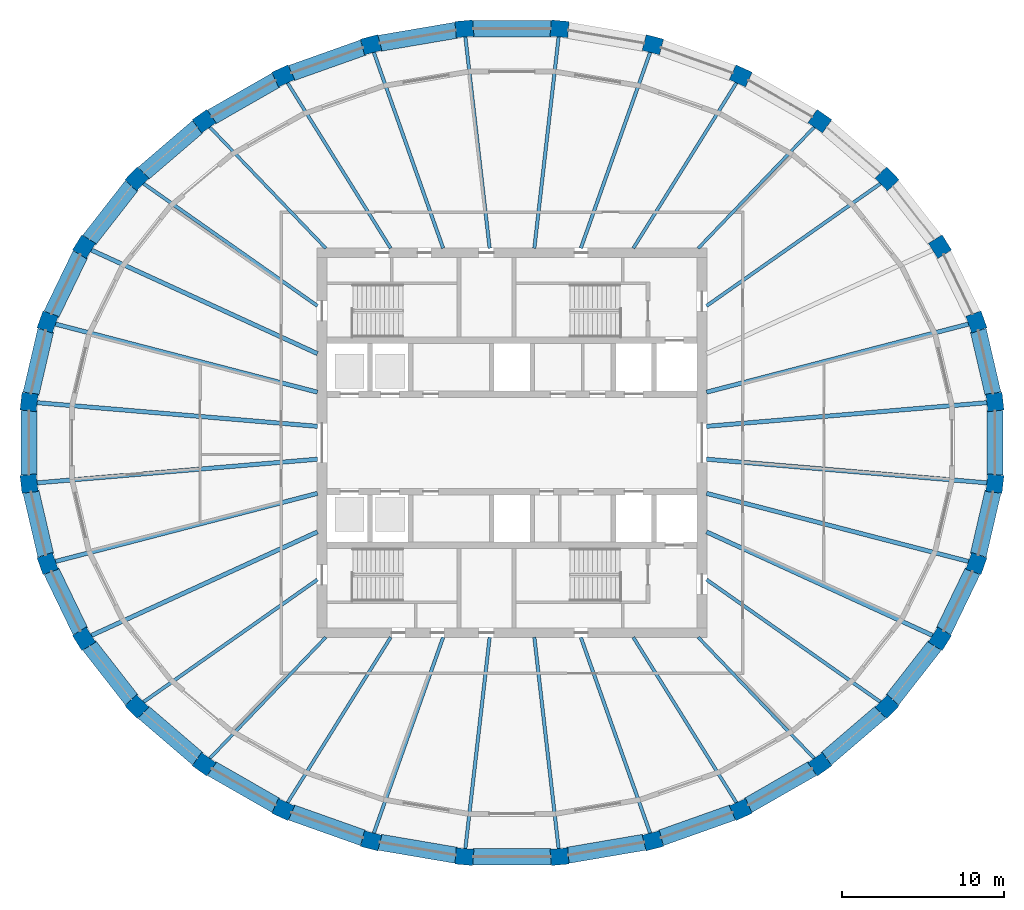
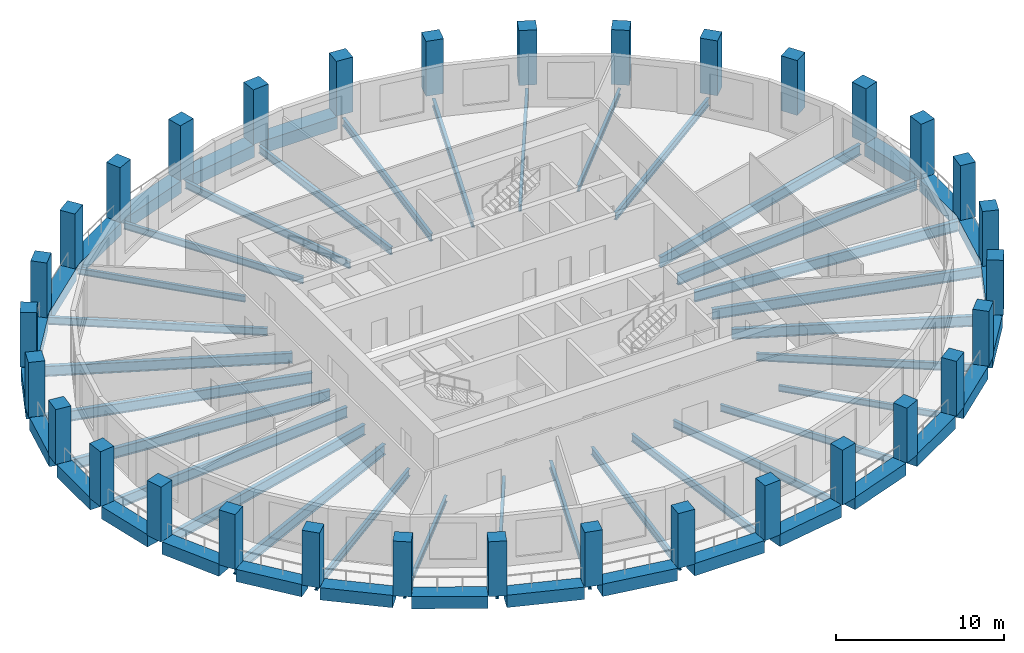
# One storey, part 1 of 10: 57 beams, 32 columns.
"""IFC4 building model written with IfcOpenShell, lengths in metres."""

from ifc_helpers import new_model, si_unit, direction, frame, origin, origin_2d, place, context, subcontext, project, spatial, rectangle, i_section, extrude, material, material_profile, profile_set, type_object, element, save


model = new_model("IFC4")

# Units and contexts
model_context = context("Model", 3, precision=1e-05, world=origin(), true_north=direction((0.0, 1.0)))
body_context = subcontext(model_context, "Body", "Model", "MODEL_VIEW")
ifc_project = project(units=[si_unit("LENGTHUNIT", "METRE"), si_unit("AREAUNIT", "SQUARE_METRE"), si_unit("VOLUMEUNIT", "CUBIC_METRE"), si_unit("PLANEANGLEUNIT", "RADIAN"), si_unit("MASSUNIT", "GRAM", prefix="KILO")], contexts=[model_context])

# Site, building, storey
site_placement = place(None, origin())
site = spatial("IfcSite", under=ifc_project, at=site_placement, CompositionType="ELEMENT")
building_placement = place(site_placement, origin())
building = spatial("IfcBuilding", under=site, at=building_placement, Name="Halqa Exchange Tower", CompositionType="ELEMENT")
storey_placement = place(building_placement, frame((0.0, 0.0, 272.300048828125)))
storey = spatial("IfcBuildingStorey", under=building, at=storey_placement, Name="L63", CompositionType="ELEMENT", Elevation=272.300048828125)

# Columns
ifc_material_1 = material(Name="Concrete C60/75", Category="concrete")
ifc_material_profile_1 = material_profile(ifc_material_1, rectangle(XDim=1.10009765625, YDim=1.0, at=origin_2d()), Name="1100 x 1000")
ifc_profile_set_1 = profile_set([ifc_material_profile_1], Name="Concrete C60/75")
column_type = type_object("IfcColumnType", Name="RC ring column 1100 x 1000 C60/75", PredefinedType="COLUMN", material=ifc_profile_set_1)
for number, where, z_axis, x_axis, name in (
    (1, (29.724609375, 2.509521484375, 0.0), (0.0, 0.0, 1.0), (-0.114155188058, 0.993462929877, 0.0), "Ring column 1"),
    (2, (28.582275390625, 7.431640625, 0.0), (0.0, 0.0, 1.0), (-0.33362752424, 0.942704977747, 0.0), "Ring column 2"),
    (3, (26.341552734375, 12.068603515625, 0.0), (0.0, 0.0, 1.0), (-0.529141977228, 0.848533303964, 0.0), "Ring column 3"),
    (4, (23.088623046875, 16.241455078125, 0.0), (0.0, 0.0, 1.0), (-0.69157987326, 0.722299992317, 0.0), "Ring column 4"),
    (5, (18.9482421875, 19.790283203125, 0.0), (0.0, 0.0, 1.0), (-0.817906779671, 0.575350762377, 0.0), "Ring column 5"),
    (6, (14.079833984375, 22.57861328125, 0.0), (0.0, 0.0, 1.0), (-0.909127095833, 0.416518815449, 0.0), "Ring column 6"),
    (7, (8.67041015625, 24.4990234375, 0.0), (0.0, 0.0, 1.0), (-0.967820381973, 0.251642023988, 0.0), "Ring column 7"),
    (8, (2.927490234375, 25.478271484375, 0.0), (0.0, 0.0, 1.0), (-0.996455518985, 0.084121333105, 0.0), "Ring column 8"),
    (9, (-2.927490234375, 25.478271484375, 0.0), (0.0, 0.0, 1.0), (-0.996455518985, -0.084121333105, 0.0), "Ring column 9"),
    (10, (-8.67041015625, 24.4990234375, 0.0), (0.0, 0.0, 1.0), (-0.967820381973, -0.251642023988, 0.0), "Ring column 10"),
    (11, (-14.079833984375, 22.57861328125, 0.0), (0.0, 0.0, 1.0), (-0.909127095833, -0.416518815449, 0.0), "Ring column 11"),
    (12, (-18.9482421875, 19.790283203125, 0.0), (0.0, 0.0, 1.0), (-0.817906779671, -0.575350762377, 0.0), "Ring column 12"),
    (13, (-23.088623046875, 16.241455078125, 0.0), (0.0, 0.0, 1.0), (-0.69157987326, -0.722299992317, 0.0), "Ring column 13"),
    (14, (-26.341552734375, 12.068603515625, 0.0), (0.0, 0.0, 1.0), (-0.529141977228, -0.848533303964, 0.0), "Ring column 14"),
    (15, (-28.582275390625, 7.431640625, 0.0), (0.0, 0.0, 1.0), (-0.33362752424, -0.942704977747, 0.0), "Ring column 15"),
    (16, (-29.724609375, 2.509521484375, 0.0), (0.0, 0.0, 1.0), (-0.114155188058, -0.993462929877, 0.0), "Ring column 16"),
    (17, (-29.724609375, -2.509521484375, 0.0), (0.0, 0.0, 1.0), (0.114155188058, -0.993462929877, 0.0), "Ring column 17"),
    (18, (-28.582275390625, -7.431640625, 0.0), (0.0, 0.0, 1.0), (0.33362752424, -0.942704977747, 0.0), "Ring column 18"),
    (19, (-26.341552734375, -12.068603515625, 0.0), (0.0, 0.0, 1.0), (0.529141977228, -0.848533303964, 0.0), "Ring column 19"),
    (20, (-23.088623046875, -16.241455078125, 0.0), (0.0, 0.0, 1.0), (0.69157987326, -0.722299992317, 0.0), "Ring column 20"),
    (21, (-18.9482421875, -19.790283203125, 0.0), (0.0, 0.0, 1.0), (0.817906779671, -0.575350762377, 0.0), "Ring column 21"),
    (22, (-14.079833984375, -22.57861328125, 0.0), (0.0, 0.0, 1.0), (0.909127095833, -0.416518815449, 0.0), "Ring column 22"),
    (23, (-8.67041015625, -24.4990234375, 0.0), (0.0, 0.0, 1.0), (0.967820381973, -0.251642023988, 0.0), "Ring column 23"),
    (24, (-2.927490234375, -25.478271484375, 0.0), (0.0, 0.0, 1.0), (0.996455518985, -0.084121333105, 0.0), "Ring column 24"),
    (25, (2.927490234375, -25.478271484375, 0.0), (0.0, 0.0, 1.0), (0.996455518985, 0.084121333105, 0.0), "Ring column 25"),
    (26, (8.67041015625, -24.4990234375, 0.0), (0.0, 0.0, 1.0), (0.967820381973, 0.251642023988, 0.0), "Ring column 26"),
    (27, (14.079833984375, -22.57861328125, 0.0), (0.0, 0.0, 1.0), (0.909127095833, 0.416518815449, 0.0), "Ring column 27"),
    (28, (18.9482421875, -19.790283203125, 0.0), (0.0, 0.0, 1.0), (0.817906779671, 0.575350762377, 0.0), "Ring column 28"),
    (29, (23.088623046875, -16.241455078125, 0.0), (0.0, 0.0, 1.0), (0.69157987326, 0.722299992317, 0.0), "Ring column 29"),
    (30, (26.341552734375, -12.068603515625, 0.0), (0.0, 0.0, 1.0), (0.529141977228, 0.848533303964, 0.0), "Ring column 30"),
    (31, (28.582275390625, -7.431640625, 0.0), (0.0, 0.0, 1.0), (0.33362752424, 0.942704977747, 0.0), "Ring column 31"),
    (32, (29.724609375, -2.509521484375, 0.0), (0.0, 0.0, 1.0), (0.114155188058, 0.993462929877, 0.0), "Ring column 32"),
):
    element("IfcColumn", number, at=place(storey_placement, frame(where, z_axis=z_axis, x_axis=x_axis)), inside=storey, type_object=column_type, Name=name, PredefinedType="COLUMN", context=body_context, shape_type="SweptSolid", body=[
        extrude(rectangle(XDim=1.10009765625, YDim=1.0, at=origin_2d()), origin(), (0.0, 0.0, 1.0), 4.0),
    ])

# Beams
ifc_material_2 = material(Name="Steel S355", Category="steel")
ifc_material_profile_2 = material_profile(ifc_material_2, i_section(OverallWidth=0.18994140625, OverallDepth=0.449951171875, WebThickness=0.009521484375, FlangeThickness=0.0146484375, FilletRadius=0.02099609375, at=origin_2d()), Name="IPE 450")
ifc_profile_set_2 = profile_set([ifc_material_profile_2], Name="Steel S355")
beam_type_1 = type_object("IfcBeamType", Name="Floor beam IPE 450", PredefinedType="BEAM", material=ifc_profile_set_2)
for number, where, z_axis, x_axis, name in (
    (33, (11.462890625, 11.97216796875, -0.525146484375), (0.6915753901, 0.722304284778, 0.0), (-0.722304284778, 0.6915753901, 0.0), "Radial beam 5"),
    (34, (-11.462890625, 11.97216796875, -0.525146484375), (-0.6915753901, 0.722304284778, 0.0), (-0.722304284778, -0.6915753901, 0.0), "Radial beam 12"),
    (35, (-11.462890625, -11.97216796875, -0.525146484375), (-0.6915753901, -0.722304284778, 0.0), (0.722304284778, -0.6915753901, 0.0), "Radial beam 21"),
    (36, (11.462890625, -11.97216796875, -0.525146484375), (0.6915753901, -0.722304284778, 0.0), (0.722304284778, 0.6915753901, 0.0), "Radial beam 28"),
):
    element("IfcBeam", number, at=place(storey_placement, frame(where, z_axis=z_axis, x_axis=x_axis)), inside=storey, type_object=beam_type_1, Name=name, PredefinedType="BEAM", context=body_context, shape_type="SweptSolid", body=[
        extrude(i_section(OverallWidth=0.18994140625, OverallDepth=0.449951171875, WebThickness=0.009521484375, FlangeThickness=0.0146484375, FilletRadius=0.02099609375, at=origin_2d()), origin(), (0.0, 0.0, 1.0), 10.44775390625),
    ])
ifc_material_profile_3 = material_profile(ifc_material_2, i_section(OverallWidth=0.199951171875, OverallDepth=0.5, WebThickness=0.01025390625, FlangeThickness=0.01611328125, FilletRadius=0.02099609375, at=origin_2d()), Name="IPE 500")
ifc_profile_set_3 = profile_set([ifc_material_profile_3], Name="Steel S355")
beam_type_2 = type_object("IfcBeamType", Name="Floor beam IPE 500", PredefinedType="BEAM", material=ifc_profile_set_3)
for number, where, z_axis, x_axis, name in (
    (37, (7.4658203125, 11.97216796875, -0.550048828125), (0.529135237944, 0.848537506517, 0.0), (-0.848537506517, 0.529135237944, 0.0), "Radial beam 6"),
    (38, (-7.4658203125, 11.97216796875, -0.550048828125), (-0.529135237944, 0.848537506517, 0.0), (-0.848537506517, -0.529135237944, 0.0), "Radial beam 11"),
    (39, (-7.4658203125, -11.97216796875, -0.550048828125), (-0.529135237944, -0.848537506517, 0.0), (0.848537506517, -0.529135237944, 0.0), "Radial beam 22"),
    (40, (7.4658203125, -11.97216796875, -0.550048828125), (0.529135237944, -0.848537506517, 0.0), (0.848537506517, 0.529135237944, 0.0), "Radial beam 27"),
):
    element("IfcBeam", number, at=place(storey_placement, frame(where, z_axis=z_axis, x_axis=x_axis)), inside=storey, type_object=beam_type_2, Name=name, PredefinedType="BEAM", context=body_context, shape_type="SweptSolid", body=[
        extrude(i_section(OverallWidth=0.199951171875, OverallDepth=0.5, WebThickness=0.01025390625, FlangeThickness=0.01611328125, FilletRadius=0.02099609375, at=origin_2d()), origin(), (0.0, 0.0, 1.0), 12.12353515625),
    ])
ifc_material_profile_4 = material_profile(ifc_material_2, i_section(OverallWidth=0.2099609375, OverallDepth=0.550048828125, WebThickness=0.010986328125, FlangeThickness=0.01708984375, FilletRadius=0.02392578125, at=origin_2d()), Name="IPE 550")
ifc_profile_set_4 = profile_set([ifc_material_profile_4], Name="Steel S355")
beam_type_3 = type_object("IfcBeamType", Name="Floor beam IPE 550", PredefinedType="BEAM", material=ifc_profile_set_4)
beam_1_placement = place(storey_placement, frame((11.97265625, 8.422119140625, -0.574951171875), z_axis=(0.81790784974, 0.575349241187, 0.0), x_axis=(-0.575349241187, 0.81790784974, 0.0)))
element("IfcBeam", 41, at=beam_1_placement, inside=storey, type_object=beam_type_3, Name="Radial beam 4", PredefinedType="BEAM", context=body_context, shape_type="SweptSolid", body=[
    extrude(i_section(OverallWidth=0.2099609375, OverallDepth=0.550048828125, WebThickness=0.010986328125, FlangeThickness=0.01708984375, FilletRadius=0.02392578125, at=origin_2d()), origin(), (0.0, 0.0, 1.0), 13.214599609375),
])
beam_2_placement = place(storey_placement, frame((4.23681640625, 11.971923828125, -0.574951171875), z_axis=(0.333624916915, 0.942705900487, 0.0), x_axis=(-0.942705900487, 0.333624916915, 0.0)))
element("IfcBeam", 42, at=beam_2_placement, inside=storey, type_object=beam_type_3, Name="Radial beam 7", PredefinedType="BEAM", context=body_context, shape_type="SweptSolid", body=[
    extrude(i_section(OverallWidth=0.2099609375, OverallDepth=0.550048828125, WebThickness=0.010986328125, FlangeThickness=0.01708984375, FilletRadius=0.02392578125, at=origin_2d()), origin(), (0.0, 0.0, 1.0), 12.91455078125),
])
for number, where, z_axis, x_axis, name in (
    (43, (1.37548828125, 11.9716796875, -0.574951171875), (0.114155275755, 0.9934629198, 0.0), (-0.9934629198, 0.114155275755, 0.0), "Radial beam 8"),
    (44, (-1.37548828125, 11.9716796875, -0.574951171875), (-0.114155275755, 0.9934629198, 0.0), (-0.9934629198, -0.114155275755, 0.0), "Radial beam 9"),
):
    element("IfcBeam", number, at=place(storey_placement, frame(where, z_axis=z_axis, x_axis=x_axis)), inside=storey, type_object=beam_type_3, Name=name, PredefinedType="BEAM", context=body_context, shape_type="SweptSolid", body=[
        extrude(i_section(OverallWidth=0.2099609375, OverallDepth=0.550048828125, WebThickness=0.010986328125, FlangeThickness=0.01708984375, FilletRadius=0.02392578125, at=origin_2d()), origin(), (0.0, 0.0, 1.0), 13.223388671875),
    ])
beam_3_placement = place(storey_placement, frame((-4.23681640625, 11.971923828125, -0.574951171875), z_axis=(-0.333624916915, 0.942705900487, 0.0), x_axis=(-0.942705900487, -0.333624916915, 0.0)))
element("IfcBeam", 45, at=beam_3_placement, inside=storey, type_object=beam_type_3, Name="Radial beam 10", PredefinedType="BEAM", context=body_context, shape_type="SweptSolid", body=[
    extrude(i_section(OverallWidth=0.2099609375, OverallDepth=0.550048828125, WebThickness=0.010986328125, FlangeThickness=0.01708984375, FilletRadius=0.02392578125, at=origin_2d()), origin(), (0.0, 0.0, 1.0), 12.91455078125),
])
for number, where, z_axis, x_axis, name in (
    (46, (-11.97265625, 8.422119140625, -0.574951171875), (-0.81790784974, 0.575349241187, 0.0), (-0.575349241187, -0.81790784974, 0.0), "Radial beam 13"),
    (47, (-11.97265625, -8.422119140625, -0.574951171875), (-0.81790784974, -0.575349241187, 0.0), (0.575349241187, -0.81790784974, 0.0), "Radial beam 20"),
):
    element("IfcBeam", number, at=place(storey_placement, frame(where, z_axis=z_axis, x_axis=x_axis)), inside=storey, type_object=beam_type_3, Name=name, PredefinedType="BEAM", context=body_context, shape_type="SweptSolid", body=[
        extrude(i_section(OverallWidth=0.2099609375, OverallDepth=0.550048828125, WebThickness=0.010986328125, FlangeThickness=0.01708984375, FilletRadius=0.02392578125, at=origin_2d()), origin(), (0.0, 0.0, 1.0), 13.214599609375),
    ])
beam_4_placement = place(storey_placement, frame((-4.23681640625, -11.971923828125, -0.574951171875), z_axis=(-0.333624916915, -0.942705900487, 0.0), x_axis=(0.942705900487, -0.333624916915, 0.0)))
element("IfcBeam", 48, at=beam_4_placement, inside=storey, type_object=beam_type_3, Name="Radial beam 23", PredefinedType="BEAM", context=body_context, shape_type="SweptSolid", body=[
    extrude(i_section(OverallWidth=0.2099609375, OverallDepth=0.550048828125, WebThickness=0.010986328125, FlangeThickness=0.01708984375, FilletRadius=0.02392578125, at=origin_2d()), origin(), (0.0, 0.0, 1.0), 12.91455078125),
])
for number, where, z_axis, x_axis, name in (
    (49, (-1.37548828125, -11.9716796875, -0.574951171875), (-0.114155275755, -0.9934629198, 0.0), (0.9934629198, -0.114155275755, 0.0), "Radial beam 24"),
    (50, (1.37548828125, -11.9716796875, -0.574951171875), (0.114155275755, -0.9934629198, 0.0), (0.9934629198, 0.114155275755, 0.0), "Radial beam 25"),
):
    element("IfcBeam", number, at=place(storey_placement, frame(where, z_axis=z_axis, x_axis=x_axis)), inside=storey, type_object=beam_type_3, Name=name, PredefinedType="BEAM", context=body_context, shape_type="SweptSolid", body=[
        extrude(i_section(OverallWidth=0.2099609375, OverallDepth=0.550048828125, WebThickness=0.010986328125, FlangeThickness=0.01708984375, FilletRadius=0.02392578125, at=origin_2d()), origin(), (0.0, 0.0, 1.0), 13.223388671875),
    ])
beam_5_placement = place(storey_placement, frame((4.23681640625, -11.971923828125, -0.574951171875), z_axis=(0.333624916915, -0.942705900487, 0.0), x_axis=(0.942705900487, 0.333624916915, 0.0)))
element("IfcBeam", 51, at=beam_5_placement, inside=storey, type_object=beam_type_3, Name="Radial beam 26", PredefinedType="BEAM", context=body_context, shape_type="SweptSolid", body=[
    extrude(i_section(OverallWidth=0.2099609375, OverallDepth=0.550048828125, WebThickness=0.010986328125, FlangeThickness=0.01708984375, FilletRadius=0.02392578125, at=origin_2d()), origin(), (0.0, 0.0, 1.0), 12.91455078125),
])
beam_6_placement = place(storey_placement, frame((11.97265625, -8.422119140625, -0.574951171875), z_axis=(0.81790784974, -0.575349241187, 0.0), x_axis=(0.575349241187, 0.81790784974, 0.0)))
element("IfcBeam", 52, at=beam_6_placement, inside=storey, type_object=beam_type_3, Name="Radial beam 29", PredefinedType="BEAM", context=body_context, shape_type="SweptSolid", body=[
    extrude(i_section(OverallWidth=0.2099609375, OverallDepth=0.550048828125, WebThickness=0.010986328125, FlangeThickness=0.01708984375, FilletRadius=0.02392578125, at=origin_2d()), origin(), (0.0, 0.0, 1.0), 13.214599609375),
])
ifc_material_profile_5 = material_profile(ifc_material_2, i_section(OverallWidth=0.264892578125, OverallDepth=0.7529296875, WebThickness=0.01318359375, FlangeThickness=0.01708984375, FilletRadius=0.01708984375, at=origin_2d()), Name="IPE 750x147")
ifc_profile_set_5 = profile_set([ifc_material_profile_5], Name="Steel S355")
beam_type_4 = type_object("IfcBeamType", Name="Floor beam IPE 750x147", PredefinedType="BEAM", material=ifc_profile_set_5)
beam_7_placement = place(storey_placement, frame((11.972900390625, 1.0107421875, -0.676513671875), z_axis=(0.996455698419, 0.084119207612, 0.0), x_axis=(-0.084119207612, 0.996455698419, 0.0)))
element("IfcBeam", 53, at=beam_7_placement, inside=storey, type_object=beam_type_4, Name="Radial beam 1", PredefinedType="BEAM", context=body_context, shape_type="SweptSolid", body=[
    extrude(i_section(OverallWidth=0.264892578125, OverallDepth=0.7529296875, WebThickness=0.01318359375, FlangeThickness=0.01708984375, FilletRadius=0.01708984375, at=origin_2d()), origin(), (0.0, 0.0, 1.0), 17.44287109375),
])
beam_8_placement = place(storey_placement, frame((11.97265625, 3.113037109375, -0.676513671875), z_axis=(0.967818965, 0.251647473634, 0.0), x_axis=(-0.251647473634, 0.967818965, 0.0)))
element("IfcBeam", 54, at=beam_8_placement, inside=storey, type_object=beam_type_4, Name="Radial beam 2", PredefinedType="BEAM", context=body_context, shape_type="SweptSolid", body=[
    extrude(i_section(OverallWidth=0.264892578125, OverallDepth=0.7529296875, WebThickness=0.01318359375, FlangeThickness=0.01708984375, FilletRadius=0.01708984375, at=origin_2d()), origin(), (0.0, 0.0, 1.0), 16.787841796875),
])
beam_9_placement = place(storey_placement, frame((-11.972412109375, 5.485107421875, -0.676513671875), z_axis=(-0.909124745555, 0.416523945314, 0.0), x_axis=(-0.416523945314, -0.909124745555, 0.0)))
element("IfcBeam", 55, at=beam_9_placement, inside=storey, type_object=beam_type_4, Name="Radial beam 14", PredefinedType="BEAM", context=body_context, shape_type="SweptSolid", body=[
    extrude(i_section(OverallWidth=0.264892578125, OverallDepth=0.7529296875, WebThickness=0.01318359375, FlangeThickness=0.01708984375, FilletRadius=0.01708984375, at=origin_2d()), origin(), (0.0, 0.0, 1.0), 15.429443359375),
])
beam_10_placement = place(storey_placement, frame((-11.97265625, 3.113037109375, -0.676513671875), z_axis=(-0.967818965, 0.251647473634, 0.0), x_axis=(-0.251647473634, -0.967818965, 0.0)))
element("IfcBeam", 56, at=beam_10_placement, inside=storey, type_object=beam_type_4, Name="Radial beam 15", PredefinedType="BEAM", context=body_context, shape_type="SweptSolid", body=[
    extrude(i_section(OverallWidth=0.264892578125, OverallDepth=0.7529296875, WebThickness=0.01318359375, FlangeThickness=0.01708984375, FilletRadius=0.01708984375, at=origin_2d()), origin(), (0.0, 0.0, 1.0), 16.787841796875),
])
for number, where, z_axis, x_axis, name in (
    (57, (-11.972900390625, 1.0107421875, -0.676513671875), (-0.996455698419, 0.084119207612, 0.0), (-0.084119207612, -0.996455698419, 0.0), "Radial beam 16"),
    (58, (-11.972900390625, -1.0107421875, -0.676513671875), (-0.996455698419, -0.084119207612, 0.0), (0.084119207612, -0.996455698419, 0.0), "Radial beam 17"),
):
    element("IfcBeam", number, at=place(storey_placement, frame(where, z_axis=z_axis, x_axis=x_axis)), inside=storey, type_object=beam_type_4, Name=name, PredefinedType="BEAM", context=body_context, shape_type="SweptSolid", body=[
        extrude(i_section(OverallWidth=0.264892578125, OverallDepth=0.7529296875, WebThickness=0.01318359375, FlangeThickness=0.01708984375, FilletRadius=0.01708984375, at=origin_2d()), origin(), (0.0, 0.0, 1.0), 17.44287109375),
    ])
beam_11_placement = place(storey_placement, frame((-11.97265625, -3.113037109375, -0.676513671875), z_axis=(-0.967818965, -0.251647473634, 0.0), x_axis=(0.251647473634, -0.967818965, 0.0)))
element("IfcBeam", 59, at=beam_11_placement, inside=storey, type_object=beam_type_4, Name="Radial beam 18", PredefinedType="BEAM", context=body_context, shape_type="SweptSolid", body=[
    extrude(i_section(OverallWidth=0.264892578125, OverallDepth=0.7529296875, WebThickness=0.01318359375, FlangeThickness=0.01708984375, FilletRadius=0.01708984375, at=origin_2d()), origin(), (0.0, 0.0, 1.0), 16.787841796875),
])
for number, where, z_axis, x_axis, name in (
    (60, (-11.972412109375, -5.485107421875, -0.676513671875), (-0.909124745555, -0.416523945314, 0.0), (0.416523945314, -0.909124745555, 0.0), "Radial beam 19"),
    (61, (11.972412109375, -5.485107421875, -0.676513671875), (0.909124745555, -0.416523945314, 0.0), (0.416523945314, 0.909124745555, 0.0), "Radial beam 30"),
):
    element("IfcBeam", number, at=place(storey_placement, frame(where, z_axis=z_axis, x_axis=x_axis)), inside=storey, type_object=beam_type_4, Name=name, PredefinedType="BEAM", context=body_context, shape_type="SweptSolid", body=[
        extrude(i_section(OverallWidth=0.264892578125, OverallDepth=0.7529296875, WebThickness=0.01318359375, FlangeThickness=0.01708984375, FilletRadius=0.01708984375, at=origin_2d()), origin(), (0.0, 0.0, 1.0), 15.429443359375),
    ])
beam_12_placement = place(storey_placement, frame((11.97265625, -3.113037109375, -0.676513671875), z_axis=(0.967818965, -0.251647473634, 0.0), x_axis=(0.251647473634, 0.967818965, 0.0)))
element("IfcBeam", 62, at=beam_12_placement, inside=storey, type_object=beam_type_4, Name="Radial beam 31", PredefinedType="BEAM", context=body_context, shape_type="SweptSolid", body=[
    extrude(i_section(OverallWidth=0.264892578125, OverallDepth=0.7529296875, WebThickness=0.01318359375, FlangeThickness=0.01708984375, FilletRadius=0.01708984375, at=origin_2d()), origin(), (0.0, 0.0, 1.0), 16.787841796875),
])
beam_13_placement = place(storey_placement, frame((11.972900390625, -1.0107421875, -0.676513671875), z_axis=(0.996455698419, -0.084119207612, 0.0), x_axis=(0.084119207612, 0.996455698419, 0.0)))
element("IfcBeam", 63, at=beam_13_placement, inside=storey, type_object=beam_type_4, Name="Radial beam 32", PredefinedType="BEAM", context=body_context, shape_type="SweptSolid", body=[
    extrude(i_section(OverallWidth=0.264892578125, OverallDepth=0.7529296875, WebThickness=0.01318359375, FlangeThickness=0.01708984375, FilletRadius=0.01708984375, at=origin_2d()), origin(), (0.0, 0.0, 1.0), 17.44287109375),
])
ifc_material_profile_6 = material_profile(ifc_material_1, rectangle(XDim=1.0, YDim=0.89990234375, at=origin_2d()), Name="1000 x 900")
ifc_profile_set_6 = profile_set([ifc_material_profile_6], Name="Concrete C60/75")
beam_type_5 = type_object("IfcBeamType", Name="RC spandrel beam 1000 x 900 C60/75", PredefinedType="SPANDREL", material=ifc_profile_set_6)
beam_14_placement = place(storey_placement, frame((29.60595703125, 3.0205078125, -0.449951171875), z_axis=(-0.226066657828, 0.974111834554, 0.0), x_axis=(-0.974111834554, -0.226066657828, 0.0)))
element("IfcBeam", 64, at=beam_14_placement, inside=storey, type_object=beam_type_5, Name="Spandrel 1", PredefinedType="SPANDREL", context=body_context, shape_type="SweptSolid", body=[
    extrude(rectangle(XDim=1.0, YDim=0.89990234375, at=origin_2d()), origin(), (0.0, 0.0, 1.0), 4.002197265625),
])
beam_15_placement = place(storey_placement, frame((2.40380859375, 25.478271484375, -0.449951171875), z_axis=(-1.0, 0.0, 0.0), x_axis=(0.0, -1.0, 0.0)))
element("IfcBeam", 65, at=beam_15_placement, inside=storey, type_object=beam_type_5, Name="Spandrel 8", PredefinedType="SPANDREL", context=body_context, shape_type="SweptSolid", body=[
    extrude(rectangle(XDim=1.0, YDim=0.89990234375, at=origin_2d()), origin(), (0.0, 0.0, 1.0), 4.8076171875),
])
beam_16_placement = place(storey_placement, frame((-3.444091796875, 25.39013671875, -0.449951171875), z_axis=(-0.985773827322, -0.168077248215, 0.0), x_axis=(0.168077248215, -0.985773827322, 0.0)))
element("IfcBeam", 66, at=beam_16_placement, inside=storey, type_object=beam_type_5, Name="Spandrel 9", PredefinedType="SPANDREL", context=body_context, shape_type="SweptSolid", body=[
    extrude(rectangle(XDim=1.0, YDim=0.89990234375, at=origin_2d()), origin(), (0.0, 0.0, 1.0), 4.77734375),
])
beam_17_placement = place(storey_placement, frame((-9.164794921875, 24.323486328125, -0.449951171875), z_axis=(-0.942370071958, -0.334572335194, 0.0), x_axis=(0.334572335194, -0.942370071958, 0.0)))
element("IfcBeam", 67, at=beam_17_placement, inside=storey, type_object=beam_type_5, Name="Spandrel 10", PredefinedType="SPANDREL", context=body_context, shape_type="SweptSolid", body=[
    extrude(rectangle(XDim=1.0, YDim=0.89990234375, at=origin_2d()), origin(), (0.0, 0.0, 1.0), 4.692138671875),
])
beam_18_placement = place(storey_placement, frame((-14.53515625, 22.31787109375, -0.449951171875), z_axis=(-0.867728942601, -0.497037706992, 0.0), x_axis=(0.497037706992, -0.867728942601, 0.0)))
element("IfcBeam", 68, at=beam_18_placement, inside=storey, type_object=beam_type_5, Name="Spandrel 11", PredefinedType="SPANDREL", context=body_context, shape_type="SweptSolid", body=[
    extrude(rectangle(XDim=1.0, YDim=0.89990234375, at=origin_2d()), origin(), (0.0, 0.0, 1.0), 4.562255859375),
])
beam_19_placement = place(storey_placement, frame((-19.3466796875, 19.44873046875, -0.449951171875), z_axis=(-0.759264428132, -0.650782243284, 0.0), x_axis=(0.650782243284, -0.759264428132, 0.0)))
element("IfcBeam", 69, at=beam_19_placement, inside=storey, type_object=beam_type_5, Name="Spandrel 12", PredefinedType="SPANDREL", context=body_context, shape_type="SweptSolid", body=[
    extrude(rectangle(XDim=1.0, YDim=0.89990234375, at=origin_2d()), origin(), (0.0, 0.0, 1.0), 4.404296875),
])
beam_20_placement = place(storey_placement, frame((-23.41162109375, 15.826904296875, -0.449951171875), z_axis=(-0.614844941027, -0.788648019394, 0.0), x_axis=(0.788648019394, -0.614844941027, 0.0)))
element("IfcBeam", 70, at=beam_20_placement, inside=storey, type_object=beam_type_5, Name="Spandrel 13", PredefinedType="SPANDREL", context=body_context, shape_type="SweptSolid", body=[
    extrude(rectangle(XDim=1.0, YDim=0.89990234375, at=origin_2d()), origin(), (0.0, 0.0, 1.0), 4.24072265625),
])
beam_21_placement = place(storey_placement, frame((-26.570556640625, 11.594970703125, -0.449951171875), z_axis=(-0.43506886732, -0.90039717941, 0.0), x_axis=(0.90039717941, -0.43506886732, 0.0)))
element("IfcBeam", 71, at=beam_21_placement, inside=storey, type_object=beam_type_5, Name="Spandrel 14", PredefinedType="SPANDREL", context=body_context, shape_type="SweptSolid", body=[
    extrude(rectangle(XDim=1.0, YDim=0.89990234375, at=origin_2d()), origin(), (0.0, 0.0, 1.0), 4.0986328125),
])
beam_22_placement = place(storey_placement, frame((-28.701171875, 6.919189453125, -0.449951171875), z_axis=(-0.226066657828, -0.974111834554, 0.0), x_axis=(0.974111834554, -0.226066657828, 0.0)))
element("IfcBeam", 72, at=beam_22_placement, inside=storey, type_object=beam_type_5, Name="Spandrel 15", PredefinedType="SPANDREL", context=body_context, shape_type="SweptSolid", body=[
    extrude(rectangle(XDim=1.0, YDim=0.89990234375, at=origin_2d()), origin(), (0.0, 0.0, 1.0), 4.002197265625),
])
beam_23_placement = place(storey_placement, frame((-29.724609375, 1.984375, -0.449951171875), z_axis=(0.0, -1.0, 0.0), x_axis=(1.0, 0.0, 0.0)))
element("IfcBeam", 73, at=beam_23_placement, inside=storey, type_object=beam_type_5, Name="Spandrel 16", PredefinedType="SPANDREL", context=body_context, shape_type="SweptSolid", body=[
    extrude(rectangle(XDim=1.0, YDim=0.89990234375, at=origin_2d()), origin(), (0.0, 0.0, 1.0), 3.96875),
])
beam_24_placement = place(storey_placement, frame((-29.60595703125, -3.0205078125, -0.449951171875), z_axis=(0.226066657828, -0.974111834554, 0.0), x_axis=(0.974111834554, 0.226066657828, 0.0)))
element("IfcBeam", 74, at=beam_24_placement, inside=storey, type_object=beam_type_5, Name="Spandrel 17", PredefinedType="SPANDREL", context=body_context, shape_type="SweptSolid", body=[
    extrude(rectangle(XDim=1.0, YDim=0.89990234375, at=origin_2d()), origin(), (0.0, 0.0, 1.0), 4.002197265625),
])
beam_25_placement = place(storey_placement, frame((-28.353759765625, -7.904541015625, -0.449951171875), z_axis=(0.43506886732, -0.90039717941, 0.0), x_axis=(0.90039717941, 0.43506886732, 0.0)))
element("IfcBeam", 75, at=beam_25_placement, inside=storey, type_object=beam_type_5, Name="Spandrel 18", PredefinedType="SPANDREL", context=body_context, shape_type="SweptSolid", body=[
    extrude(rectangle(XDim=1.0, YDim=0.89990234375, at=origin_2d()), origin(), (0.0, 0.0, 1.0), 4.0986328125),
])
beam_26_placement = place(storey_placement, frame((-26.01904296875, -12.482421875, -0.449951171875), z_axis=(0.614844941027, -0.788648019394, 0.0), x_axis=(0.788648019394, 0.614844941027, 0.0)))
element("IfcBeam", 76, at=beam_26_placement, inside=storey, type_object=beam_type_5, Name="Spandrel 19", PredefinedType="SPANDREL", context=body_context, shape_type="SweptSolid", body=[
    extrude(rectangle(XDim=1.0, YDim=0.89990234375, at=origin_2d()), origin(), (0.0, 0.0, 1.0), 4.24072265625),
])
beam_27_placement = place(storey_placement, frame((-22.690673828125, -16.58251953125, -0.449951171875), z_axis=(0.759264428132, -0.650782243284, 0.0), x_axis=(0.650782243284, 0.759264428132, 0.0)))
element("IfcBeam", 77, at=beam_27_placement, inside=storey, type_object=beam_type_5, Name="Spandrel 20", PredefinedType="SPANDREL", context=body_context, shape_type="SweptSolid", body=[
    extrude(rectangle(XDim=1.0, YDim=0.89990234375, at=origin_2d()), origin(), (0.0, 0.0, 1.0), 4.404296875),
])
beam_28_placement = place(storey_placement, frame((-18.493896484375, -20.05029296875, -0.449951171875), z_axis=(0.867728942601, -0.497037706992, 0.0), x_axis=(0.497037706992, 0.867728942601, 0.0)))
element("IfcBeam", 78, at=beam_28_placement, inside=storey, type_object=beam_type_5, Name="Spandrel 21", PredefinedType="SPANDREL", context=body_context, shape_type="SweptSolid", body=[
    extrude(rectangle(XDim=1.0, YDim=0.89990234375, at=origin_2d()), origin(), (0.0, 0.0, 1.0), 4.562255859375),
])
beam_29_placement = place(storey_placement, frame((-13.58642578125, -22.753662109375, -0.449951171875), z_axis=(0.942370071958, -0.334572335194, 0.0), x_axis=(0.334572335194, 0.942370071958, 0.0)))
element("IfcBeam", 79, at=beam_29_placement, inside=storey, type_object=beam_type_5, Name="Spandrel 22", PredefinedType="SPANDREL", context=body_context, shape_type="SweptSolid", body=[
    extrude(rectangle(XDim=1.0, YDim=0.89990234375, at=origin_2d()), origin(), (0.0, 0.0, 1.0), 4.692138671875),
])
beam_30_placement = place(storey_placement, frame((-8.153564453125, -24.587158203125, -0.449951171875), z_axis=(0.985773827322, -0.168077248215, 0.0), x_axis=(0.168077248215, 0.985773827322, 0.0)))
element("IfcBeam", 80, at=beam_30_placement, inside=storey, type_object=beam_type_5, Name="Spandrel 23", PredefinedType="SPANDREL", context=body_context, shape_type="SweptSolid", body=[
    extrude(rectangle(XDim=1.0, YDim=0.89990234375, at=origin_2d()), origin(), (0.0, 0.0, 1.0), 4.77734375),
])
beam_31_placement = place(storey_placement, frame((-2.40380859375, -25.478271484375, -0.449951171875), z_axis=(1.0, 0.0, 0.0), x_axis=(0.0, 1.0, 0.0)))
element("IfcBeam", 81, at=beam_31_placement, inside=storey, type_object=beam_type_5, Name="Spandrel 24", PredefinedType="SPANDREL", context=body_context, shape_type="SweptSolid", body=[
    extrude(rectangle(XDim=1.0, YDim=0.89990234375, at=origin_2d()), origin(), (0.0, 0.0, 1.0), 4.8076171875),
])
beam_32_placement = place(storey_placement, frame((3.444091796875, -25.39013671875, -0.449951171875), z_axis=(0.985773827322, 0.168077248215, 0.0), x_axis=(-0.168077248215, 0.985773827322, 0.0)))
element("IfcBeam", 82, at=beam_32_placement, inside=storey, type_object=beam_type_5, Name="Spandrel 25", PredefinedType="SPANDREL", context=body_context, shape_type="SweptSolid", body=[
    extrude(rectangle(XDim=1.0, YDim=0.89990234375, at=origin_2d()), origin(), (0.0, 0.0, 1.0), 4.77734375),
])
beam_33_placement = place(storey_placement, frame((9.164794921875, -24.323486328125, -0.449951171875), z_axis=(0.942370071958, 0.334572335194, 0.0), x_axis=(-0.334572335194, 0.942370071958, 0.0)))
element("IfcBeam", 83, at=beam_33_placement, inside=storey, type_object=beam_type_5, Name="Spandrel 26", PredefinedType="SPANDREL", context=body_context, shape_type="SweptSolid", body=[
    extrude(rectangle(XDim=1.0, YDim=0.89990234375, at=origin_2d()), origin(), (0.0, 0.0, 1.0), 4.692138671875),
])
beam_34_placement = place(storey_placement, frame((14.53515625, -22.31787109375, -0.449951171875), z_axis=(0.867728942601, 0.497037706992, 0.0), x_axis=(-0.497037706992, 0.867728942601, 0.0)))
element("IfcBeam", 84, at=beam_34_placement, inside=storey, type_object=beam_type_5, Name="Spandrel 27", PredefinedType="SPANDREL", context=body_context, shape_type="SweptSolid", body=[
    extrude(rectangle(XDim=1.0, YDim=0.89990234375, at=origin_2d()), origin(), (0.0, 0.0, 1.0), 4.562255859375),
])
beam_35_placement = place(storey_placement, frame((19.3466796875, -19.44873046875, -0.449951171875), z_axis=(0.759264428132, 0.650782243284, 0.0), x_axis=(-0.650782243284, 0.759264428132, 0.0)))
element("IfcBeam", 85, at=beam_35_placement, inside=storey, type_object=beam_type_5, Name="Spandrel 28", PredefinedType="SPANDREL", context=body_context, shape_type="SweptSolid", body=[
    extrude(rectangle(XDim=1.0, YDim=0.89990234375, at=origin_2d()), origin(), (0.0, 0.0, 1.0), 4.404296875),
])
beam_36_placement = place(storey_placement, frame((23.41162109375, -15.826904296875, -0.449951171875), z_axis=(0.614844941027, 0.788648019394, 0.0), x_axis=(-0.788648019394, 0.614844941027, 0.0)))
element("IfcBeam", 86, at=beam_36_placement, inside=storey, type_object=beam_type_5, Name="Spandrel 29", PredefinedType="SPANDREL", context=body_context, shape_type="SweptSolid", body=[
    extrude(rectangle(XDim=1.0, YDim=0.89990234375, at=origin_2d()), origin(), (0.0, 0.0, 1.0), 4.24072265625),
])
beam_37_placement = place(storey_placement, frame((26.570556640625, -11.594970703125, -0.449951171875), z_axis=(0.43506886732, 0.90039717941, 0.0), x_axis=(-0.90039717941, 0.43506886732, 0.0)))
element("IfcBeam", 87, at=beam_37_placement, inside=storey, type_object=beam_type_5, Name="Spandrel 30", PredefinedType="SPANDREL", context=body_context, shape_type="SweptSolid", body=[
    extrude(rectangle(XDim=1.0, YDim=0.89990234375, at=origin_2d()), origin(), (0.0, 0.0, 1.0), 4.0986328125),
])
beam_38_placement = place(storey_placement, frame((28.701171875, -6.919189453125, -0.449951171875), z_axis=(0.226066657828, 0.974111834554, 0.0), x_axis=(-0.974111834554, 0.226066657828, 0.0)))
element("IfcBeam", 88, at=beam_38_placement, inside=storey, type_object=beam_type_5, Name="Spandrel 31", PredefinedType="SPANDREL", context=body_context, shape_type="SweptSolid", body=[
    extrude(rectangle(XDim=1.0, YDim=0.89990234375, at=origin_2d()), origin(), (0.0, 0.0, 1.0), 4.002197265625),
])
beam_39_placement = place(storey_placement, frame((29.724609375, -1.984375, -0.449951171875), z_axis=(0.0, 1.0, 0.0), x_axis=(-1.0, 0.0, 0.0)))
element("IfcBeam", 89, at=beam_39_placement, inside=storey, type_object=beam_type_5, Name="Spandrel 32", PredefinedType="SPANDREL", context=body_context, shape_type="SweptSolid", body=[
    extrude(rectangle(XDim=1.0, YDim=0.89990234375, at=origin_2d()), origin(), (0.0, 0.0, 1.0), 3.96875),
])

save(model, "model.ifc")
